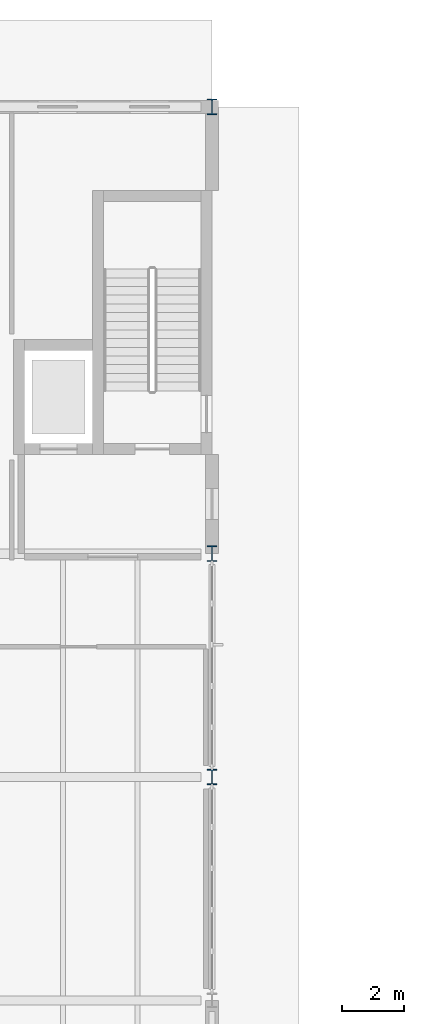
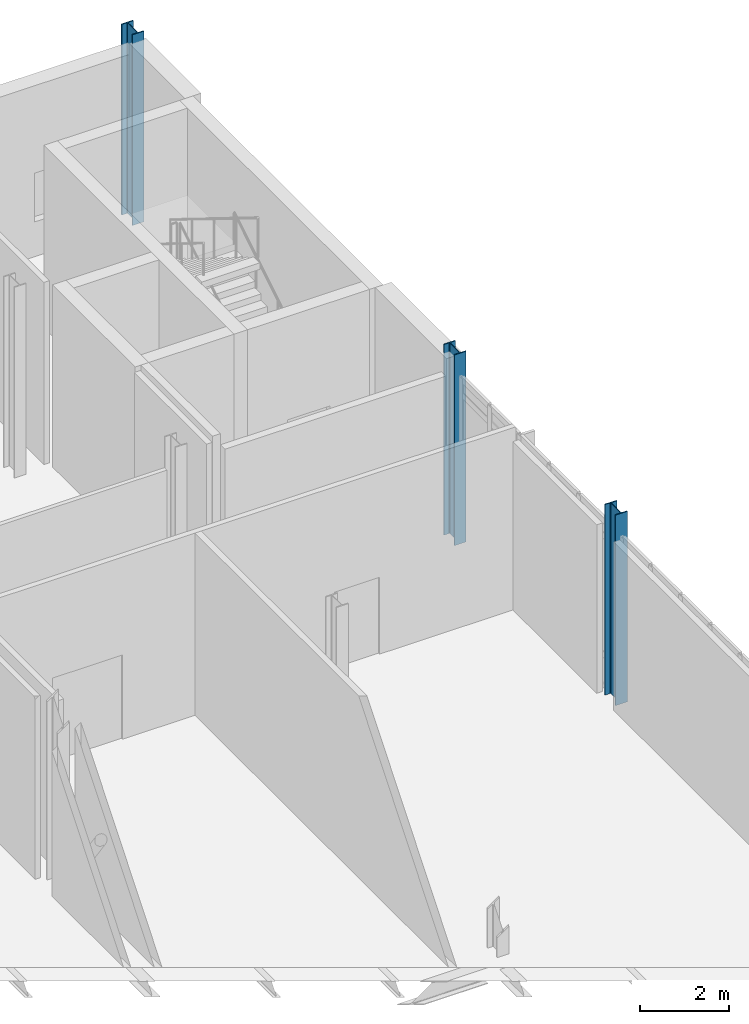
# One storey, part 11 of 89: 3 columns.
"""IFC4 building model written with IfcOpenShell, lengths in metres."""

from ifc_helpers import new_model, si_unit, direction, frame, origin, origin_2d, place, context, subcontext, project, spatial, i_section, extrude, material, material_profile, profile_set, type_object, element, save


model = new_model("IFC4")

# Units and contexts
model_context = context("Model", 3, precision=1e-05, world=origin(), true_north=direction((0.0, 1.0)))
body_context = subcontext(model_context, "Body", "Model", "MODEL_VIEW")
ifc_project = project(units=[si_unit("LENGTHUNIT", "METRE"), si_unit("AREAUNIT", "SQUARE_METRE"), si_unit("VOLUMEUNIT", "CUBIC_METRE"), si_unit("PLANEANGLEUNIT", "RADIAN"), si_unit("MASSUNIT", "GRAM", prefix="KILO")], contexts=[model_context])

# Site, building, storey
site_placement = place(None, origin())
site = spatial("IfcSite", under=ifc_project, at=site_placement, CompositionType="ELEMENT")
building_placement = place(site_placement, origin())
building = spatial("IfcBuilding", under=site, at=building_placement, Name="Zarrinpeak Specialist Clinic", CompositionType="ELEMENT")
storey_placement = place(building_placement, origin())
storey = spatial("IfcBuildingStorey", under=building, at=storey_placement, Name="L00", CompositionType="ELEMENT", Elevation=0.0)

# Columns
ifc_material = material(Name="Steel S355", Category="steel")
ifc_material_profile = material_profile(ifc_material, i_section(OverallWidth=0.300048828125, OverallDepth=0.5, WebThickness=0.014404296875, FlangeThickness=0.028076171875, FilletRadius=0.027099609375, at=origin_2d()), Name="HEB 500")
ifc_profile_set = profile_set([ifc_material_profile], Name="Steel S355")
column_type = type_object("IfcColumnType", Name="COL-HEB500", PredefinedType="COLUMN", material=ifc_profile_set)
for number, where, z_axis, x_axis, name in (
    (1, (64.800048828125, 96.39990234375, 0.0), (0.0, 0.0, 1.0), (1.0, 0.0, 0.0), "L00 Structural Column COL-L00-121"),
    (2, (64.800048828125, 103.60009765625, 0.0), (0.0, 0.0, 1.0), (1.0, 0.0, 0.0), "L00 Structural Column COL-L00-122"),
    (3, (64.800048828125, 118.0, 0.0), (0.0, 0.0, 1.0), (1.0, 0.0, 0.0), "L00 Structural Column COL-L00-123"),
):
    element("IfcColumn", number, at=place(storey_placement, frame(where, z_axis=z_axis, x_axis=x_axis)), inside=storey, type_object=column_type, Name=name, PredefinedType="COLUMN", context=body_context, shape_type="SweptSolid", body=[
        extrude(i_section(OverallWidth=0.300048828125, OverallDepth=0.5, WebThickness=0.014404296875, FlangeThickness=0.028076171875, FilletRadius=0.027099609375, at=origin_2d()), origin(), (0.0, 0.0, 1.0), 5.199951171875),
    ])

save(model, "model.ifc")
